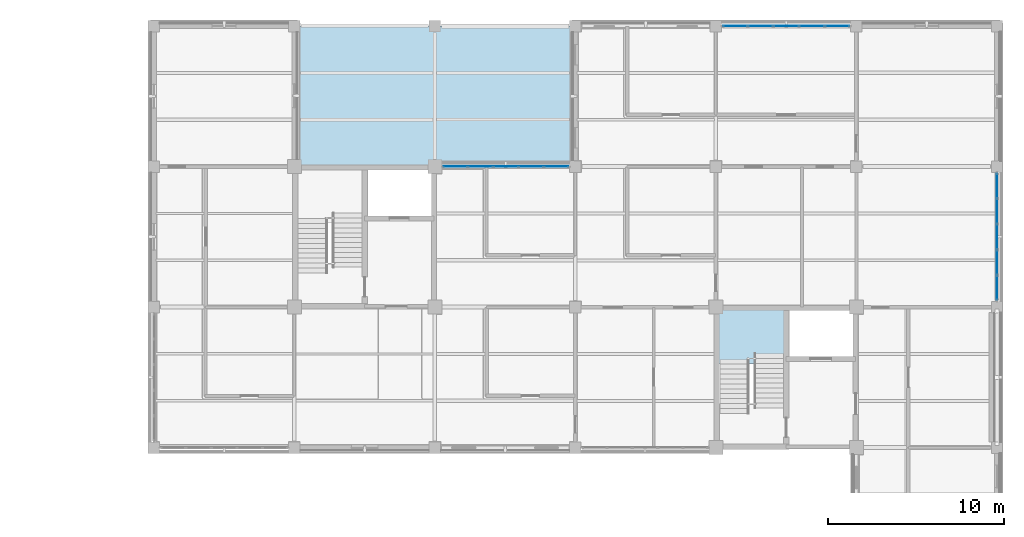
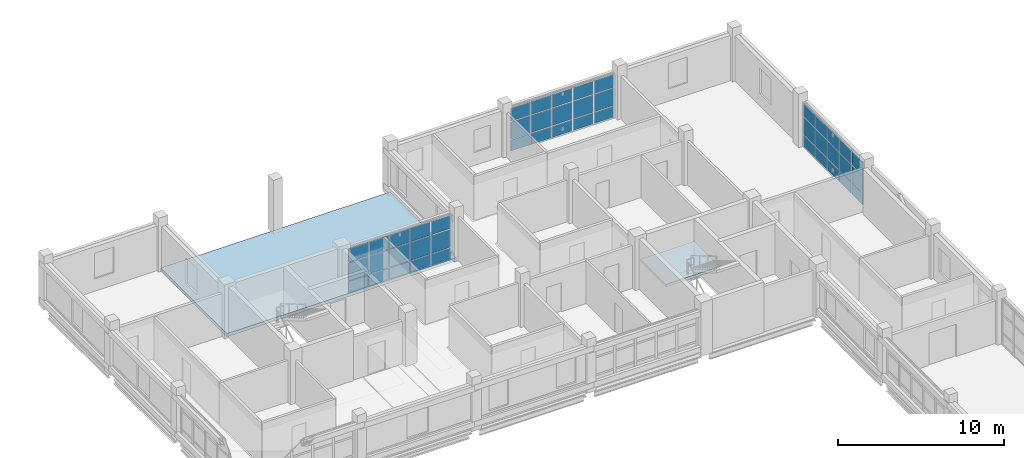
# One storey, part 82 of 126: 45 plates, 2 slabs, 4 elements without a shape of their own.
"""IFC4 building model written with IfcOpenShell, lengths in metres."""

from ifc_helpers import new_model, si_unit, derived_unit, direction, frame, origin, origin_2d, place, context, subcontext, project, spatial, polyline, rectangle, outline, extrude, material, layer, layer_set, type_object, element, aggregate, save


model = new_model("IFC4")

# Units and contexts
model_context = context("Model", 3, precision=1e-05, world=origin(), true_north=direction((0.0, 1.0)))
body_context = subcontext(model_context, "Body", "Model", "MODEL_VIEW")
ifc_project = project(units=[si_unit("LENGTHUNIT", "METRE"), si_unit("AREAUNIT", "SQUARE_METRE"), si_unit("VOLUMEUNIT", "CUBIC_METRE"), si_unit("PLANEANGLEUNIT", "RADIAN"), si_unit("MASSUNIT", "GRAM", prefix="KILO"), derived_unit("THERMALTRANSMITTANCEUNIT", [(si_unit("MASSUNIT", "GRAM", prefix="KILO"), 1), (si_unit("TIMEUNIT", "SECOND"), -3), (si_unit("THERMODYNAMICTEMPERATUREUNIT", "KELVIN"), -1)])], contexts=[model_context])

# Site, building, storey
site_placement = place(None, origin())
site = spatial("IfcSite", under=ifc_project, at=site_placement, CompositionType="ELEMENT")
building_placement = place(site_placement, origin())
building = spatial("IfcBuilding", under=site, at=building_placement, Name="Veyamyaing Civic Hall", CompositionType="ELEMENT")
storey_placement = place(building_placement, frame((0.0, 0.0, 9.89990234375)))
storey = spatial("IfcBuildingStorey", under=building, at=storey_placement, Name="L02", CompositionType="ELEMENT", Elevation=9.89990234375)

# Curtain wall, plates
ifc_material_1 = material(Name="Anodised aluminium 6063-T6", Category="aluminium")
ifc_layer_1 = layer(ifc_material_1, 0.159912109375, Name="Anodised aluminium 6063-T6")
ifc_layer_set_1 = layer_set([ifc_layer_1], Name="Anodised aluminium 6063-T6")
curtain_wall_type = type_object("IfcCurtainWallType", Name="CW-03", PredefinedType="NOTDEFINED", material=ifc_layer_set_1)
curtain_wall_1_placement = place(storey_placement, origin())
curtain_wall_1 = element("IfcCurtainWall", 1, at=curtain_wall_1_placement, inside=storey, type_object=curtain_wall_type, Name="Unitized curtain wall CW-03 L02 N 21.14", PredefinedType="NOTDEFINED")
ifc_material_2 = material(Name="Low-E insulated glass", Category="glass")
ifc_layer_2 = layer(ifc_material_2, 0.028076171875, Name="Low-E insulated glass")
ifc_layer_set_2 = layer_set([ifc_layer_2], Name="Low-E insulated glass")
plate_type_1 = type_object("IfcPlateType", Name="CWP-01", PredefinedType="CURTAIN_PANEL", material=ifc_layer_set_2)
plate_1_placement = place(storey_placement, frame((161.100341796875, 112.0, 0.06494140625), z_axis=(0.0, 0.0, 1.0), x_axis=(1.0, 0.0, 0.0)))
plate_1 = element("IfcPlate", 2, at=plate_1_placement, type_object=plate_type_1, Name="CW-03 panel 1.1", PredefinedType="CURTAIN_PANEL", context=body_context, shape_type="SweptSolid", body=[
    extrude(rectangle(XDim=1.360595703125, YDim=0.028076171875, at=origin_2d()), origin(), (0.0, 0.0, 1.0), 0.802490234375),
])
plate_2_placement = place(storey_placement, frame((161.100341796875, 112.0, 0.9326171875), z_axis=(0.0, 0.0, 1.0), x_axis=(1.0, 0.0, 0.0)))
plate_2 = element("IfcPlate", 3, at=plate_2_placement, type_object=plate_type_1, Name="CW-03 panel 1.2", PredefinedType="CURTAIN_PANEL", context=body_context, shape_type="SweptSolid", body=[
    extrude(rectangle(XDim=1.360595703125, YDim=0.028076171875, at=origin_2d()), origin(), (0.0, 0.0, 1.0), 1.265380859375),
])
plate_3_placement = place(storey_placement, frame((161.100341796875, 112.0, 2.262939453125), z_axis=(0.0, 0.0, 1.0), x_axis=(1.0, 0.0, 0.0)))
plate_3 = element("IfcPlate", 4, at=plate_3_placement, type_object=plate_type_1, Name="CW-03 panel 1.3", PredefinedType="CURTAIN_PANEL", context=body_context, shape_type="SweptSolid", body=[
    extrude(rectangle(XDim=1.360595703125, YDim=0.028076171875, at=origin_2d()), origin(), (0.0, 0.0, 1.0), 0.9521484375),
])
plate_4_placement = place(storey_placement, frame((162.5419921875, 112.0, 0.06494140625), z_axis=(0.0, 0.0, 1.0), x_axis=(1.0, 0.0, 0.0)))
plate_4 = element("IfcPlate", 5, at=plate_4_placement, type_object=plate_type_1, Name="CW-03 panel 2.1", PredefinedType="CURTAIN_PANEL", context=body_context, shape_type="SweptSolid", body=[
    extrude(rectangle(XDim=1.39306640625, YDim=0.028076171875, at=origin_2d()), origin(), (0.0, 0.0, 1.0), 0.802490234375),
])
plate_5_placement = place(storey_placement, frame((162.5419921875, 112.0, 0.9326171875), z_axis=(0.0, 0.0, 1.0), x_axis=(1.0, 0.0, 0.0)))
plate_5 = element("IfcPlate", 6, at=plate_5_placement, type_object=plate_type_1, Name="CW-03 panel 2.2", PredefinedType="CURTAIN_PANEL", context=body_context, shape_type="SweptSolid", body=[
    extrude(rectangle(XDim=1.39306640625, YDim=0.028076171875, at=origin_2d()), origin(), (0.0, 0.0, 1.0), 1.265380859375),
])
plate_6_placement = place(storey_placement, frame((162.5419921875, 112.0, 2.262939453125), z_axis=(0.0, 0.0, 1.0), x_axis=(1.0, 0.0, 0.0)))
plate_6 = element("IfcPlate", 7, at=plate_6_placement, type_object=plate_type_1, Name="CW-03 panel 2.3", PredefinedType="CURTAIN_PANEL", context=body_context, shape_type="SweptSolid", body=[
    extrude(rectangle(XDim=1.39306640625, YDim=0.028076171875, at=origin_2d()), origin(), (0.0, 0.0, 1.0), 0.9521484375),
])
plate_7_placement = place(storey_placement, frame((164.0, 112.0, 0.06494140625), z_axis=(0.0, 0.0, 1.0), x_axis=(1.0, 0.0, 0.0)))
plate_7 = element("IfcPlate", 8, at=plate_7_placement, type_object=plate_type_1, Name="CW-03 panel 3.1", PredefinedType="CURTAIN_PANEL", context=body_context, shape_type="SweptSolid", body=[
    extrude(rectangle(XDim=1.39306640625, YDim=0.028076171875, at=origin_2d()), origin(), (0.0, 0.0, 1.0), 0.802490234375),
])
plate_8_placement = place(storey_placement, frame((164.0, 112.0, 0.9326171875), z_axis=(0.0, 0.0, 1.0), x_axis=(1.0, 0.0, 0.0)))
plate_8 = element("IfcPlate", 9, at=plate_8_placement, type_object=plate_type_1, Name="CW-03 panel 3.2", PredefinedType="CURTAIN_PANEL", context=body_context, shape_type="SweptSolid", body=[
    extrude(rectangle(XDim=1.39306640625, YDim=0.028076171875, at=origin_2d()), origin(), (0.0, 0.0, 1.0), 1.265380859375),
])
plate_9_placement = place(storey_placement, frame((164.0, 112.0, 2.262939453125), z_axis=(0.0, 0.0, 1.0), x_axis=(1.0, 0.0, 0.0)))
plate_9 = element("IfcPlate", 10, at=plate_9_placement, type_object=plate_type_1, Name="CW-03 panel 3.3", PredefinedType="CURTAIN_PANEL", context=body_context, shape_type="SweptSolid", body=[
    extrude(rectangle(XDim=1.39306640625, YDim=0.028076171875, at=origin_2d()), origin(), (0.0, 0.0, 1.0), 0.9521484375),
])
plate_10_placement = place(storey_placement, frame((165.4580078125, 112.0, 0.06494140625), z_axis=(0.0, 0.0, 1.0), x_axis=(1.0, 0.0, 0.0)))
plate_10 = element("IfcPlate", 11, at=plate_10_placement, type_object=plate_type_1, Name="CW-03 panel 4.1", PredefinedType="CURTAIN_PANEL", context=body_context, shape_type="SweptSolid", body=[
    extrude(rectangle(XDim=1.39306640625, YDim=0.028076171875, at=origin_2d()), origin(), (0.0, 0.0, 1.0), 0.802490234375),
])
plate_11_placement = place(storey_placement, frame((165.4580078125, 112.0, 0.9326171875), z_axis=(0.0, 0.0, 1.0), x_axis=(1.0, 0.0, 0.0)))
plate_11 = element("IfcPlate", 12, at=plate_11_placement, type_object=plate_type_1, Name="CW-03 panel 4.2", PredefinedType="CURTAIN_PANEL", context=body_context, shape_type="SweptSolid", body=[
    extrude(rectangle(XDim=1.39306640625, YDim=0.028076171875, at=origin_2d()), origin(), (0.0, 0.0, 1.0), 1.265380859375),
])
plate_12_placement = place(storey_placement, frame((165.4580078125, 112.0, 2.262939453125), z_axis=(0.0, 0.0, 1.0), x_axis=(1.0, 0.0, 0.0)))
plate_12 = element("IfcPlate", 13, at=plate_12_placement, type_object=plate_type_1, Name="CW-03 panel 4.3", PredefinedType="CURTAIN_PANEL", context=body_context, shape_type="SweptSolid", body=[
    extrude(rectangle(XDim=1.39306640625, YDim=0.028076171875, at=origin_2d()), origin(), (0.0, 0.0, 1.0), 0.9521484375),
])
plate_13_placement = place(storey_placement, frame((166.899658203125, 112.0, 0.06494140625), z_axis=(0.0, 0.0, 1.0), x_axis=(1.0, 0.0, 0.0)))
plate_13 = element("IfcPlate", 14, at=plate_13_placement, type_object=plate_type_1, Name="CW-03 panel 5.1", PredefinedType="CURTAIN_PANEL", context=body_context, shape_type="SweptSolid", body=[
    extrude(rectangle(XDim=1.360595703125, YDim=0.028076171875, at=origin_2d()), origin(), (0.0, 0.0, 1.0), 0.802490234375),
])
plate_14_placement = place(storey_placement, frame((166.899658203125, 112.0, 0.9326171875), z_axis=(0.0, 0.0, 1.0), x_axis=(1.0, 0.0, 0.0)))
plate_14 = element("IfcPlate", 15, at=plate_14_placement, type_object=plate_type_1, Name="CW-03 panel 5.2", PredefinedType="CURTAIN_PANEL", context=body_context, shape_type="SweptSolid", body=[
    extrude(rectangle(XDim=1.360595703125, YDim=0.028076171875, at=origin_2d()), origin(), (0.0, 0.0, 1.0), 1.265380859375),
])
plate_15_placement = place(storey_placement, frame((166.899658203125, 112.0, 2.262939453125), z_axis=(0.0, 0.0, 1.0), x_axis=(1.0, 0.0, 0.0)))
plate_15 = element("IfcPlate", 16, at=plate_15_placement, type_object=plate_type_1, Name="CW-03 panel 5.3", PredefinedType="CURTAIN_PANEL", context=body_context, shape_type="SweptSolid", body=[
    extrude(rectangle(XDim=1.360595703125, YDim=0.028076171875, at=origin_2d()), origin(), (0.0, 0.0, 1.0), 0.9521484375),
])
aggregate(curtain_wall_1, [plate_1, plate_2, plate_3, plate_4, plate_5, plate_6, plate_7, plate_8, plate_9, plate_10, plate_11, plate_12, plate_13, plate_14, plate_15])

curtain_wall_2_placement = place(storey_placement, origin())
curtain_wall_2 = element("IfcCurtainWall", 17, at=curtain_wall_2_placement, inside=storey, type_object=curtain_wall_type, Name="Unitized curtain wall CW-03 L02 E 22.13", PredefinedType="NOTDEFINED")
plate_16_placement = place(storey_placement, frame((176.0, 97.100341796875, 0.06494140625), z_axis=(0.0, 0.0, 1.0), x_axis=(0.0, 1.0, 0.0)))
plate_16 = element("IfcPlate", 18, at=plate_16_placement, type_object=plate_type_1, Name="CW-03 panel 1.1", PredefinedType="CURTAIN_PANEL", context=body_context, shape_type="SweptSolid", body=[
    extrude(rectangle(XDim=1.360595703125, YDim=0.028076171875, at=origin_2d()), origin(), (0.0, 0.0, 1.0), 0.802490234375),
])
plate_17_placement = place(storey_placement, frame((176.0, 97.100341796875, 0.9326171875), z_axis=(0.0, 0.0, 1.0), x_axis=(0.0, 1.0, 0.0)))
plate_17 = element("IfcPlate", 19, at=plate_17_placement, type_object=plate_type_1, Name="CW-03 panel 1.2", PredefinedType="CURTAIN_PANEL", context=body_context, shape_type="SweptSolid", body=[
    extrude(rectangle(XDim=1.360595703125, YDim=0.028076171875, at=origin_2d()), origin(), (0.0, 0.0, 1.0), 1.265380859375),
])
plate_18_placement = place(storey_placement, frame((176.0, 97.100341796875, 2.262939453125), z_axis=(0.0, 0.0, 1.0), x_axis=(0.0, 1.0, 0.0)))
plate_18 = element("IfcPlate", 20, at=plate_18_placement, type_object=plate_type_1, Name="CW-03 panel 1.3", PredefinedType="CURTAIN_PANEL", context=body_context, shape_type="SweptSolid", body=[
    extrude(rectangle(XDim=1.360595703125, YDim=0.028076171875, at=origin_2d()), origin(), (0.0, 0.0, 1.0), 0.9521484375),
])
plate_19_placement = place(storey_placement, frame((176.0, 98.5419921875, 0.06494140625), z_axis=(0.0, 0.0, 1.0), x_axis=(0.0, 1.0, 0.0)))
plate_19 = element("IfcPlate", 21, at=plate_19_placement, type_object=plate_type_1, Name="CW-03 panel 2.1", PredefinedType="CURTAIN_PANEL", context=body_context, shape_type="SweptSolid", body=[
    extrude(rectangle(XDim=1.39306640625, YDim=0.028076171875, at=origin_2d()), origin(), (0.0, 0.0, 1.0), 0.802490234375),
])
plate_20_placement = place(storey_placement, frame((176.0, 98.5419921875, 0.9326171875), z_axis=(0.0, 0.0, 1.0), x_axis=(0.0, 1.0, 0.0)))
plate_20 = element("IfcPlate", 22, at=plate_20_placement, type_object=plate_type_1, Name="CW-03 panel 2.2", PredefinedType="CURTAIN_PANEL", context=body_context, shape_type="SweptSolid", body=[
    extrude(rectangle(XDim=1.39306640625, YDim=0.028076171875, at=origin_2d()), origin(), (0.0, 0.0, 1.0), 1.265380859375),
])
plate_21_placement = place(storey_placement, frame((176.0, 98.5419921875, 2.262939453125), z_axis=(0.0, 0.0, 1.0), x_axis=(0.0, 1.0, 0.0)))
plate_21 = element("IfcPlate", 23, at=plate_21_placement, type_object=plate_type_1, Name="CW-03 panel 2.3", PredefinedType="CURTAIN_PANEL", context=body_context, shape_type="SweptSolid", body=[
    extrude(rectangle(XDim=1.39306640625, YDim=0.028076171875, at=origin_2d()), origin(), (0.0, 0.0, 1.0), 0.9521484375),
])
plate_22_placement = place(storey_placement, frame((176.0, 100.0, 0.06494140625), z_axis=(0.0, 0.0, 1.0), x_axis=(0.0, 1.0, 0.0)))
plate_22 = element("IfcPlate", 24, at=plate_22_placement, type_object=plate_type_1, Name="CW-03 panel 3.1", PredefinedType="CURTAIN_PANEL", context=body_context, shape_type="SweptSolid", body=[
    extrude(rectangle(XDim=1.39306640625, YDim=0.028076171875, at=origin_2d()), origin(), (0.0, 0.0, 1.0), 0.802490234375),
])
plate_23_placement = place(storey_placement, frame((176.0, 100.0, 0.9326171875), z_axis=(0.0, 0.0, 1.0), x_axis=(0.0, 1.0, 0.0)))
plate_23 = element("IfcPlate", 25, at=plate_23_placement, type_object=plate_type_1, Name="CW-03 panel 3.2", PredefinedType="CURTAIN_PANEL", context=body_context, shape_type="SweptSolid", body=[
    extrude(rectangle(XDim=1.39306640625, YDim=0.028076171875, at=origin_2d()), origin(), (0.0, 0.0, 1.0), 1.265380859375),
])
plate_24_placement = place(storey_placement, frame((176.0, 100.0, 2.262939453125), z_axis=(0.0, 0.0, 1.0), x_axis=(0.0, 1.0, 0.0)))
plate_24 = element("IfcPlate", 26, at=plate_24_placement, type_object=plate_type_1, Name="CW-03 panel 3.3", PredefinedType="CURTAIN_PANEL", context=body_context, shape_type="SweptSolid", body=[
    extrude(rectangle(XDim=1.39306640625, YDim=0.028076171875, at=origin_2d()), origin(), (0.0, 0.0, 1.0), 0.9521484375),
])
plate_25_placement = place(storey_placement, frame((176.0, 101.4580078125, 0.06494140625), z_axis=(0.0, 0.0, 1.0), x_axis=(0.0, 1.0, 0.0)))
plate_25 = element("IfcPlate", 27, at=plate_25_placement, type_object=plate_type_1, Name="CW-03 panel 4.1", PredefinedType="CURTAIN_PANEL", context=body_context, shape_type="SweptSolid", body=[
    extrude(rectangle(XDim=1.39306640625, YDim=0.028076171875, at=origin_2d()), origin(), (0.0, 0.0, 1.0), 0.802490234375),
])
plate_26_placement = place(storey_placement, frame((176.0, 101.4580078125, 0.9326171875), z_axis=(0.0, 0.0, 1.0), x_axis=(0.0, 1.0, 0.0)))
plate_26 = element("IfcPlate", 28, at=plate_26_placement, type_object=plate_type_1, Name="CW-03 panel 4.2", PredefinedType="CURTAIN_PANEL", context=body_context, shape_type="SweptSolid", body=[
    extrude(rectangle(XDim=1.39306640625, YDim=0.028076171875, at=origin_2d()), origin(), (0.0, 0.0, 1.0), 1.265380859375),
])
plate_27_placement = place(storey_placement, frame((176.0, 101.4580078125, 2.262939453125), z_axis=(0.0, 0.0, 1.0), x_axis=(0.0, 1.0, 0.0)))
plate_27 = element("IfcPlate", 29, at=plate_27_placement, type_object=plate_type_1, Name="CW-03 panel 4.3", PredefinedType="CURTAIN_PANEL", context=body_context, shape_type="SweptSolid", body=[
    extrude(rectangle(XDim=1.39306640625, YDim=0.028076171875, at=origin_2d()), origin(), (0.0, 0.0, 1.0), 0.9521484375),
])
plate_28_placement = place(storey_placement, frame((176.0, 102.899658203125, 0.06494140625), z_axis=(0.0, 0.0, 1.0), x_axis=(0.0, 1.0, 0.0)))
plate_28 = element("IfcPlate", 30, at=plate_28_placement, type_object=plate_type_1, Name="CW-03 panel 5.1", PredefinedType="CURTAIN_PANEL", context=body_context, shape_type="SweptSolid", body=[
    extrude(rectangle(XDim=1.360595703125, YDim=0.028076171875, at=origin_2d()), origin(), (0.0, 0.0, 1.0), 0.802490234375),
])
plate_29_placement = place(storey_placement, frame((176.0, 102.899658203125, 0.9326171875), z_axis=(0.0, 0.0, 1.0), x_axis=(0.0, 1.0, 0.0)))
plate_29 = element("IfcPlate", 31, at=plate_29_placement, type_object=plate_type_1, Name="CW-03 panel 5.2", PredefinedType="CURTAIN_PANEL", context=body_context, shape_type="SweptSolid", body=[
    extrude(rectangle(XDim=1.360595703125, YDim=0.028076171875, at=origin_2d()), origin(), (0.0, 0.0, 1.0), 1.265380859375),
])
plate_30_placement = place(storey_placement, frame((176.0, 102.899658203125, 2.262939453125), z_axis=(0.0, 0.0, 1.0), x_axis=(0.0, 1.0, 0.0)))
plate_30 = element("IfcPlate", 32, at=plate_30_placement, type_object=plate_type_1, Name="CW-03 panel 5.3", PredefinedType="CURTAIN_PANEL", context=body_context, shape_type="SweptSolid", body=[
    extrude(rectangle(XDim=1.360595703125, YDim=0.028076171875, at=origin_2d()), origin(), (0.0, 0.0, 1.0), 0.9521484375),
])
aggregate(curtain_wall_2, [plate_16, plate_17, plate_18, plate_19, plate_20, plate_21, plate_22, plate_23, plate_24, plate_25, plate_26, plate_27, plate_28, plate_29, plate_30])

curtain_wall_3_placement = place(storey_placement, origin())
curtain_wall_3 = element("IfcCurtainWall", 33, at=curtain_wall_3_placement, inside=storey, type_object=curtain_wall_type, Name="Unitized curtain wall CW-03 L02 N 19.13", PredefinedType="NOTDEFINED")
ifc_layer_3 = layer(ifc_material_2, 0.02392578125, Name="Low-E insulated glass")
ifc_layer_set_3 = layer_set([ifc_layer_3], Name="Low-E insulated glass")
plate_type_2 = type_object("IfcPlateType", Name="CWP-04", PredefinedType="CURTAIN_PANEL", material=ifc_layer_set_3)
plate_31_placement = place(storey_placement, frame((145.167724609375, 104.0, 0.06494140625), z_axis=(0.0, 0.0, 1.0), x_axis=(1.0, 0.0, 0.0)))
plate_31 = element("IfcPlate", 34, at=plate_31_placement, type_object=plate_type_2, Name="CW-03 panel 1.1", PredefinedType="CURTAIN_PANEL", context=body_context, shape_type="SweptSolid", body=[
    extrude(rectangle(XDim=1.345458984375, YDim=0.02392578125, at=origin_2d()), origin(), (0.0, 0.0, 1.0), 0.802490234375),
])
plate_32_placement = place(storey_placement, frame((145.167724609375, 104.0, 0.9326171875), z_axis=(0.0, 0.0, 1.0), x_axis=(1.0, 0.0, 0.0)))
plate_32 = element("IfcPlate", 35, at=plate_32_placement, type_object=plate_type_2, Name="CW-03 panel 1.2", PredefinedType="CURTAIN_PANEL", context=body_context, shape_type="SweptSolid", body=[
    extrude(rectangle(XDim=1.345458984375, YDim=0.02392578125, at=origin_2d()), origin(), (0.0, 0.0, 1.0), 1.308837890625),
])
plate_33_placement = place(storey_placement, frame((145.167724609375, 104.0, 2.306396484375), z_axis=(0.0, 0.0, 1.0), x_axis=(1.0, 0.0, 0.0)))
plate_33 = element("IfcPlate", 36, at=plate_33_placement, type_object=plate_type_2, Name="CW-03 panel 1.3", PredefinedType="CURTAIN_PANEL", context=body_context, shape_type="SweptSolid", body=[
    extrude(rectangle(XDim=1.345458984375, YDim=0.02392578125, at=origin_2d()), origin(), (0.0, 0.0, 1.0), 0.97265625),
])
plate_34_placement = place(storey_placement, frame((146.594482421875, 104.0, 0.06494140625), z_axis=(0.0, 0.0, 1.0), x_axis=(1.0, 0.0, 0.0)))
plate_34 = element("IfcPlate", 37, at=plate_34_placement, type_object=plate_type_2, Name="CW-03 panel 2.1", PredefinedType="CURTAIN_PANEL", context=body_context, shape_type="SweptSolid", body=[
    extrude(rectangle(XDim=1.3779296875, YDim=0.02392578125, at=origin_2d()), origin(), (0.0, 0.0, 1.0), 0.802490234375),
])
plate_35_placement = place(storey_placement, frame((146.594482421875, 104.0, 0.9326171875), z_axis=(0.0, 0.0, 1.0), x_axis=(1.0, 0.0, 0.0)))
plate_35 = element("IfcPlate", 38, at=plate_35_placement, type_object=plate_type_2, Name="CW-03 panel 2.2", PredefinedType="CURTAIN_PANEL", context=body_context, shape_type="SweptSolid", body=[
    extrude(rectangle(XDim=1.3779296875, YDim=0.02392578125, at=origin_2d()), origin(), (0.0, 0.0, 1.0), 1.308837890625),
])
plate_36_placement = place(storey_placement, frame((146.594482421875, 104.0, 2.306396484375), z_axis=(0.0, 0.0, 1.0), x_axis=(1.0, 0.0, 0.0)))
plate_36 = element("IfcPlate", 39, at=plate_36_placement, type_object=plate_type_2, Name="CW-03 panel 2.3", PredefinedType="CURTAIN_PANEL", context=body_context, shape_type="SweptSolid", body=[
    extrude(rectangle(XDim=1.3779296875, YDim=0.02392578125, at=origin_2d()), origin(), (0.0, 0.0, 1.0), 0.97265625),
])
plate_37_placement = place(storey_placement, frame((148.03759765625, 104.0, 0.06494140625), z_axis=(0.0, 0.0, 1.0), x_axis=(1.0, 0.0, 0.0)))
plate_37 = element("IfcPlate", 40, at=plate_37_placement, type_object=plate_type_2, Name="CW-03 panel 3.1", PredefinedType="CURTAIN_PANEL", context=body_context, shape_type="SweptSolid", body=[
    extrude(rectangle(XDim=1.3779296875, YDim=0.02392578125, at=origin_2d()), origin(), (0.0, 0.0, 1.0), 0.802490234375),
])
plate_38_placement = place(storey_placement, frame((148.03759765625, 104.0, 0.9326171875), z_axis=(0.0, 0.0, 1.0), x_axis=(1.0, 0.0, 0.0)))
plate_38 = element("IfcPlate", 41, at=plate_38_placement, type_object=plate_type_2, Name="CW-03 panel 3.2", PredefinedType="CURTAIN_PANEL", context=body_context, shape_type="SweptSolid", body=[
    extrude(rectangle(XDim=1.3779296875, YDim=0.02392578125, at=origin_2d()), origin(), (0.0, 0.0, 1.0), 1.308837890625),
])
plate_39_placement = place(storey_placement, frame((148.03759765625, 104.0, 2.306396484375), z_axis=(0.0, 0.0, 1.0), x_axis=(1.0, 0.0, 0.0)))
plate_39 = element("IfcPlate", 42, at=plate_39_placement, type_object=plate_type_2, Name="CW-03 panel 3.3", PredefinedType="CURTAIN_PANEL", context=body_context, shape_type="SweptSolid", body=[
    extrude(rectangle(XDim=1.3779296875, YDim=0.02392578125, at=origin_2d()), origin(), (0.0, 0.0, 1.0), 0.97265625),
])
plate_40_placement = place(storey_placement, frame((149.48046875, 104.0, 0.06494140625), z_axis=(0.0, 0.0, 1.0), x_axis=(1.0, 0.0, 0.0)))
plate_40 = element("IfcPlate", 43, at=plate_40_placement, type_object=plate_type_2, Name="CW-03 panel 4.1", PredefinedType="CURTAIN_PANEL", context=body_context, shape_type="SweptSolid", body=[
    extrude(rectangle(XDim=1.3779296875, YDim=0.02392578125, at=origin_2d()), origin(), (0.0, 0.0, 1.0), 0.802490234375),
])
plate_41_placement = place(storey_placement, frame((149.48046875, 104.0, 0.9326171875), z_axis=(0.0, 0.0, 1.0), x_axis=(1.0, 0.0, 0.0)))
plate_41 = element("IfcPlate", 44, at=plate_41_placement, type_object=plate_type_2, Name="CW-03 panel 4.2", PredefinedType="CURTAIN_PANEL", context=body_context, shape_type="SweptSolid", body=[
    extrude(rectangle(XDim=1.3779296875, YDim=0.02392578125, at=origin_2d()), origin(), (0.0, 0.0, 1.0), 1.308837890625),
])
plate_42_placement = place(storey_placement, frame((149.48046875, 104.0, 2.306396484375), z_axis=(0.0, 0.0, 1.0), x_axis=(1.0, 0.0, 0.0)))
plate_42 = element("IfcPlate", 45, at=plate_42_placement, type_object=plate_type_2, Name="CW-03 panel 4.3", PredefinedType="CURTAIN_PANEL", context=body_context, shape_type="SweptSolid", body=[
    extrude(rectangle(XDim=1.3779296875, YDim=0.02392578125, at=origin_2d()), origin(), (0.0, 0.0, 1.0), 0.97265625),
])
plate_43_placement = place(storey_placement, frame((150.9072265625, 104.0, 0.06494140625), z_axis=(0.0, 0.0, 1.0), x_axis=(1.0, 0.0, 0.0)))
plate_43 = element("IfcPlate", 46, at=plate_43_placement, type_object=plate_type_2, Name="CW-03 panel 5.1", PredefinedType="CURTAIN_PANEL", context=body_context, shape_type="SweptSolid", body=[
    extrude(rectangle(XDim=1.345458984375, YDim=0.02392578125, at=origin_2d()), origin(), (0.0, 0.0, 1.0), 0.802490234375),
])
plate_44_placement = place(storey_placement, frame((150.9072265625, 104.0, 0.9326171875), z_axis=(0.0, 0.0, 1.0), x_axis=(1.0, 0.0, 0.0)))
plate_44 = element("IfcPlate", 47, at=plate_44_placement, type_object=plate_type_2, Name="CW-03 panel 5.2", PredefinedType="CURTAIN_PANEL", context=body_context, shape_type="SweptSolid", body=[
    extrude(rectangle(XDim=1.345458984375, YDim=0.02392578125, at=origin_2d()), origin(), (0.0, 0.0, 1.0), 1.308837890625),
])
plate_45_placement = place(storey_placement, frame((150.9072265625, 104.0, 2.306396484375), z_axis=(0.0, 0.0, 1.0), x_axis=(1.0, 0.0, 0.0)))
plate_45 = element("IfcPlate", 48, at=plate_45_placement, type_object=plate_type_2, Name="CW-03 panel 5.3", PredefinedType="CURTAIN_PANEL", context=body_context, shape_type="SweptSolid", body=[
    extrude(rectangle(XDim=1.345458984375, YDim=0.02392578125, at=origin_2d()), origin(), (0.0, 0.0, 1.0), 0.97265625),
])
aggregate(curtain_wall_3, [plate_31, plate_32, plate_33, plate_34, plate_35, plate_36, plate_37, plate_38, plate_39, plate_40, plate_41, plate_42, plate_43, plate_44, plate_45])

# Slab
ifc_material_3 = material(Name="Concrete C40/50", Category="concrete")
ifc_layer_4 = layer(ifc_material_3, 0.239990234375, Name="Concrete C40/50")
ifc_layer_set_4 = layer_set([ifc_layer_4], Name="Concrete C40/50")
slab_type_1 = type_object("IfcSlabType", Name="SL-15", PredefinedType="ROOF", material=ifc_layer_set_4)
slab_1_placement = place(storey_placement, frame((0.0, 0.0, -0.239990234375)))
element("IfcSlab", 49, at=slab_1_placement, inside=storey, type_object=slab_type_1, Name="Roof slab SL-15 L02 V4NE.1", PredefinedType="ROOF", context=body_context, shape_type="SweptSolid", body=[
    extrude(outline(polyline([(136.0, 104.0), (136.0, 112.0), (152.0, 112.0), (152.0, 104.0), (136.0, 104.0)])), origin(), (0.0, 0.0, 1.0), 0.239990234375),
])

# Stair, slab
stair_type = type_object("IfcStairType", Name="ST-D", PredefinedType="HALF_TURN_STAIR", material=ifc_material_3)
stair_placement = place(storey_placement, origin())
stair = element("IfcStair", 50, at=stair_placement, inside=storey, type_object=stair_type, Name="Protected exit stair ST-03 L02", PredefinedType="HALF_TURN_STAIR")
ifc_layer_5 = layer(ifc_material_3, 0.195068359375, Name="Concrete C40/50")
ifc_layer_set_5 = layer_set([ifc_layer_5], Name="Concrete C40/50")
slab_type_2 = type_object("IfcSlabType", Name="SL-LND", PredefinedType="LANDING", material=ifc_layer_set_5)
slab_2_placement = place(storey_placement, frame((0.0, 0.0, 1.78515625)))
slab_2 = element("IfcSlab", 51, at=slab_2_placement, type_object=slab_type_2, Name="ST-03 landing 1", PredefinedType="LANDING", context=body_context, shape_type="SweptSolid", body=[
    extrude(outline(polyline([(160.139892578125, 92.7900390625), (163.909912109375, 92.7900390625), (163.909912109375, 95.860107421875), (160.139892578125, 95.860107421875), (160.139892578125, 92.7900390625)])), origin(), (0.0, 0.0, 1.0), 0.19482421875),
])
aggregate(stair, [slab_2])

save(model, "model.ifc")
